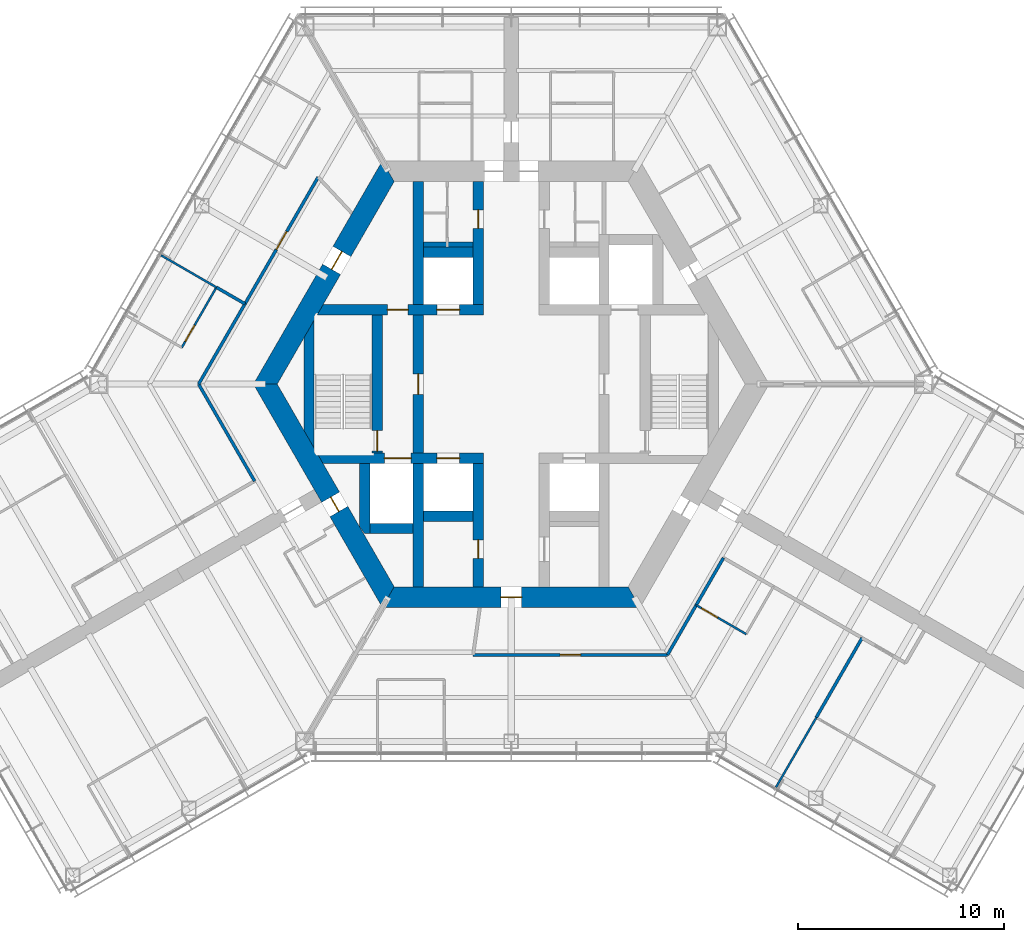
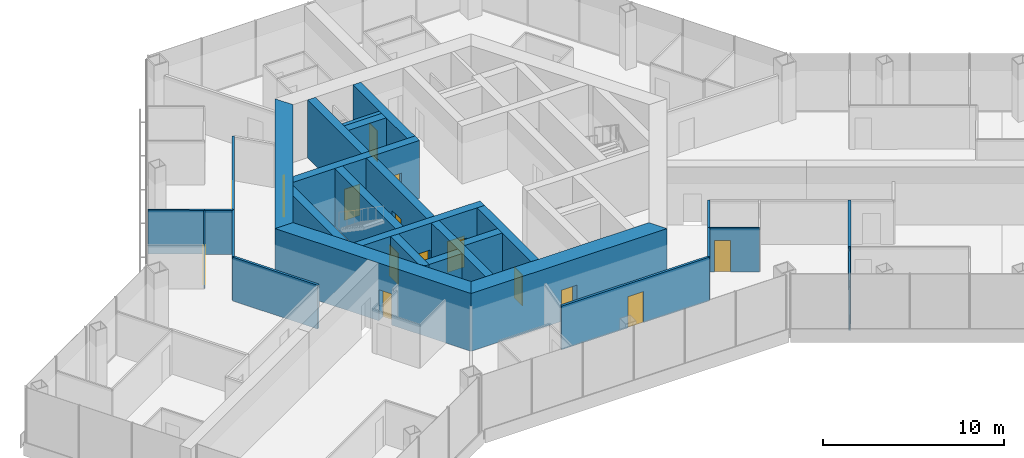
# One storey, part 12 of 18: 29 walls, 15 doors, 15 openings.
"""IFC4 building model written with IfcOpenShell, lengths in metres."""

from ifc_helpers import new_model, si_unit, direction, frame, frame_2d, origin, place, context, subcontext, project, spatial, polyline, rectangle, outline, extrude, material, layer, layer_set, type_object, element, fill, save


model = new_model("IFC4")

# Units and contexts
model_context = context("Model", 3, precision=1e-05, world=origin(), true_north=direction((0.0, 1.0)))
body_context = subcontext(model_context, "Body", "Model", "MODEL_VIEW")
ifc_project = project(units=[si_unit("LENGTHUNIT", "METRE"), si_unit("AREAUNIT", "SQUARE_METRE"), si_unit("VOLUMEUNIT", "CUBIC_METRE"), si_unit("PLANEANGLEUNIT", "RADIAN"), si_unit("MASSUNIT", "GRAM", prefix="KILO")], contexts=[model_context])

# Site, building, storey
site_placement = place(None, origin())
site = spatial("IfcSite", under=ifc_project, at=site_placement, CompositionType="ELEMENT")
building_placement = place(site_placement, origin())
building = spatial("IfcBuilding", under=site, at=building_placement, Name="Kasaneha Research Tower", CompositionType="ELEMENT")
storey_placement = place(building_placement, frame((0.0, 0.0, 133.10009765625)))
storey = spatial("IfcBuildingStorey", under=building, at=storey_placement, Name="L33", CompositionType="ELEMENT", Elevation=133.10009765625)

# Wall, openings, doors
ifc_material_1 = material(Name="Concrete Fc70", Category="concrete")
ifc_layer_1 = layer(ifc_material_1, 0.5)
ifc_layer_set_1 = layer_set([ifc_layer_1], Name="Core internal wall 500 Fc70")
wall_type_1 = type_object("IfcWallType", Name="Core internal wall 500 Fc70", PredefinedType="SHEAR", material=ifc_layer_set_1)
wall_1_placement = place(storey_placement, frame((-9.266357421875, 3.60009765625, 0.0), z_axis=(0.0, 0.0, 1.0), x_axis=(1.0, 0.0, 0.0)))
wall_1 = element("IfcWall", 1, at=wall_1_placement, inside=storey, type_object=wall_type_1, Name="Core wall W1W L33", PredefinedType="SHEAR", context=body_context, shape_type="SweptSolid", body=[
    extrude(outline(polyline([(-0.144287109375, -0.25), (3.266357421875, -0.25), (4.266357421875, -0.25), (5.66650390625, -0.25), (6.7666015625, -0.25), (7.916259765625, -0.25), (7.916259765625, 0.25), (6.7666015625, 0.25), (5.66650390625, 0.25), (4.266357421875, 0.25), (3.266357421875, 0.25), (0.144287109375, 0.25), (-0.144287109375, -0.25)])), origin(), (0.0, 0.0, 1.0), 3.89990234375),
])
opening_1_placement = place(wall_1_placement, frame((3.266357421875, 0.0, 0.0)))
opening_1 = element("IfcOpeningElement", 2, at=opening_1_placement, cuts=wall_1, Name="Opening L33-D12", PredefinedType="OPENING", context=body_context, shape_type="SweptSolid", body=[
    extrude(rectangle(XDim=1.0, YDim=2.10009765625, at=frame_2d((0.5, 1.050048828125))), frame((0.0, 0.260009765625, 0.0), z_axis=(0.0, -1.0, 0.0), x_axis=(1.0, 0.0, 0.0)), (0.0, 0.0, 1.0), 0.52001953125),
])
opening_2_placement = place(wall_1_placement, frame((5.66650390625, 0.0, 0.0)))
opening_2 = element("IfcOpeningElement", 3, at=opening_2_placement, cuts=wall_1, Name="Opening LD-LM1-L33", PredefinedType="OPENING", context=body_context, shape_type="SweptSolid", body=[
    extrude(rectangle(XDim=1.10009765625, YDim=2.10009765625, at=frame_2d((0.550048828125, 1.050048828125))), frame((0.0, 0.260009765625, 0.0), z_axis=(0.0, -1.0, 0.0), x_axis=(1.0, 0.0, 0.0)), (0.0, 0.0, 1.0), 0.52001953125),
])
ifc_material_2 = material(Name="Steel", Category="steel")
door_type_1 = type_object("IfcDoorType", Name="Lift landing door 1100x2100", OperationType="DOUBLE_DOOR_SLIDING", PredefinedType="DOOR", material=ifc_material_2)
door_1_placement = place(opening_2_placement, origin())
door_1 = element("IfcDoor", 4, at=door_1_placement, inside=storey, type_object=door_type_1, Name="Landing door LM1 LD-LM1-L33", OperationType="DOUBLE_DOOR_SLIDING", OverallHeight=2.10009765625, OverallWidth=1.10009765625, PredefinedType="DOOR", context=body_context, shape_type="SweptSolid", body=[
    extrude(rectangle(XDim=1.10009765625, YDim=2.10009765625, at=frame_2d((0.550048828125, 1.050048828125))), frame((0.0, 0.02490234375, 0.0), z_axis=(0.0, -1.0, 0.0), x_axis=(1.0, 0.0, 0.0)), (0.0, 0.0, 1.0), 0.050048828125),
])
fill(opening_2, door_1)
ifc_material_3 = material(Name="Steel", Category="steel")
door_type_2 = type_object("IfcDoorType", Name="Specified fire door FD60 1000x2100", OperationType="NOTDEFINED", PredefinedType="DOOR", material=ifc_material_3)
door_2_placement = place(opening_1_placement, origin())
door_2 = element("IfcDoor", 5, at=door_2_placement, inside=storey, type_object=door_type_2, Name="Vestibule to lobby door L33-D12", OperationType="SINGLE_SWING_LEFT", OverallHeight=2.10009765625, OverallWidth=1.0, PredefinedType="DOOR", context=body_context, shape_type="SweptSolid", body=[
    extrude(rectangle(XDim=1.0, YDim=2.10009765625, at=frame_2d((0.5, 1.050048828125))), frame((0.0, 0.02490234375, 0.0), z_axis=(0.0, -1.0, 0.0), x_axis=(1.0, 0.0, 0.0)), (0.0, 0.0, 1.0), 0.050048828125),
])
fill(opening_1, door_2)

wall_2_placement = place(storey_placement, frame((-9.266357421875, -3.60009765625, 0.0), z_axis=(0.0, 0.0, 1.0), x_axis=(1.0, 0.0, 0.0)))
wall_2 = element("IfcWall", 6, at=wall_2_placement, inside=storey, type_object=wall_type_1, Name="Core wall W2W L33", PredefinedType="SHEAR", context=body_context, shape_type="SweptSolid", body=[
    extrude(outline(polyline([(0.144287109375, -0.25), (3.116455078125, -0.25), (4.41650390625, -0.25), (5.66650390625, -0.25), (6.7666015625, -0.25), (7.916259765625, -0.25), (7.916259765625, 0.25), (6.7666015625, 0.25), (5.66650390625, 0.25), (4.41650390625, 0.25), (3.116455078125, 0.25), (-0.144287109375, 0.25), (0.144287109375, -0.25)])), origin(), (0.0, 0.0, 1.0), 3.89990234375),
])
opening_3_placement = place(wall_2_placement, frame((5.66650390625, 0.0, 0.0)))
opening_3 = element("IfcOpeningElement", 7, at=opening_3_placement, cuts=wall_2, Name="Opening LD-LM3-L33", PredefinedType="OPENING", context=body_context, shape_type="SweptSolid", body=[
    extrude(rectangle(XDim=1.10009765625, YDim=2.10009765625, at=frame_2d((0.550048828125, 1.050048828125))), frame((0.0, 0.260009765625, 0.0), z_axis=(0.0, -1.0, 0.0), x_axis=(1.0, 0.0, 0.0)), (0.0, 0.0, 1.0), 0.52001953125),
])
opening_4_placement = place(wall_2_placement, frame((3.116455078125, 0.0, 0.0)))
opening_4 = element("IfcOpeningElement", 8, at=opening_4_placement, cuts=wall_2, Name="Opening LD-FL2-L33", PredefinedType="OPENING", context=body_context, shape_type="SweptSolid", body=[
    extrude(rectangle(XDim=1.300048828125, YDim=2.10009765625, at=frame_2d((0.64990234375, 1.050048828125))), frame((0.0, 0.260009765625, 0.0), z_axis=(0.0, -1.0, 0.0), x_axis=(1.0, 0.0, 0.0)), (0.0, 0.0, 1.0), 0.52001953125),
])
door_3_placement = place(opening_3_placement, origin())
door_3 = element("IfcDoor", 9, at=door_3_placement, inside=storey, type_object=door_type_1, Name="Landing door LM3 LD-LM3-L33", OperationType="DOUBLE_DOOR_SLIDING", OverallHeight=2.10009765625, OverallWidth=1.10009765625, PredefinedType="DOOR", context=body_context, shape_type="SweptSolid", body=[
    extrude(rectangle(XDim=1.10009765625, YDim=2.10009765625, at=frame_2d((0.550048828125, 1.050048828125))), frame((0.0, 0.02490234375, 0.0), z_axis=(0.0, -1.0, 0.0), x_axis=(1.0, 0.0, 0.0)), (0.0, 0.0, 1.0), 0.050048828125),
])
fill(opening_3, door_3)
ifc_material_4 = material(Name="Steel", Category="steel")
door_type_3 = type_object("IfcDoorType", Name="Lift landing door 1300x2100", OperationType="DOUBLE_DOOR_SLIDING", PredefinedType="DOOR", material=ifc_material_4)
door_4_placement = place(opening_4_placement, origin())
door_4 = element("IfcDoor", 10, at=door_4_placement, inside=storey, type_object=door_type_3, Name="Landing door FL2 LD-FL2-L33", OperationType="DOUBLE_DOOR_SLIDING", OverallHeight=2.10009765625, OverallWidth=1.300048828125, PredefinedType="DOOR", context=body_context, shape_type="SweptSolid", body=[
    extrude(rectangle(XDim=1.300048828125, YDim=2.10009765625, at=frame_2d((0.64990234375, 1.050048828125))), frame((0.0, 0.02490234375, 0.0), z_axis=(0.0, -1.0, 0.0), x_axis=(1.0, 0.0, 0.0)), (0.0, 0.0, 1.0), 0.050048828125),
])
fill(opening_4, door_4)

# Wall, opening, door
wall_3_placement = place(storey_placement, frame((-1.60009765625, 3.85009765625, 0.0), z_axis=(0.0, 0.0, 1.0), x_axis=(0.0, 1.0, 0.0)))
wall_3 = element("IfcWall", 11, at=wall_3_placement, inside=storey, type_object=wall_type_1, Name="Core wall CNW L33", PredefinedType="SHEAR", context=body_context, shape_type="SweptSolid", body=[
    extrude(rectangle(XDim=5.974853515625, YDim=0.5, at=frame_2d((2.9873046875, 0.0))), origin(), (0.0, 0.0, 1.0), 3.89990234375),
])
opening_5_placement = place(wall_3_placement, frame((3.699951171875, 0.0, 0.0)))
opening_5 = element("IfcOpeningElement", 12, at=opening_5_placement, cuts=wall_3, Name="Opening L33-D13", PredefinedType="OPENING", context=body_context, shape_type="SweptSolid", body=[
    extrude(rectangle(XDim=0.89990234375, YDim=2.10009765625, at=frame_2d((0.449951171875, 1.050048828125))), frame((0.0, 0.260009765625, 0.0), z_axis=(0.0, -1.0, 0.0), x_axis=(1.0, 0.0, 0.0)), (0.0, 0.0, 1.0), 0.52001953125),
])
ifc_material_5 = material(Name="Steel", Category="steel")
door_type_4 = type_object("IfcDoorType", Name="Toilet door FD20 900x2100", OperationType="NOTDEFINED", PredefinedType="DOOR", material=ifc_material_5)
door_5_placement = place(opening_5_placement, origin())
door_5 = element("IfcDoor", 13, at=door_5_placement, inside=storey, type_object=door_type_4, Name="Men's WC door L33-D13", OperationType="SINGLE_SWING_LEFT", OverallHeight=2.10009765625, OverallWidth=0.89990234375, PredefinedType="DOOR", context=body_context, shape_type="SweptSolid", body=[
    extrude(rectangle(XDim=0.89990234375, YDim=2.10009765625, at=frame_2d((0.449951171875, 1.050048828125))), frame((0.0, 0.02490234375, 0.0), z_axis=(0.0, -1.0, 0.0), x_axis=(1.0, 0.0, 0.0)), (0.0, 0.0, 1.0), 0.050048828125),
])
fill(opening_5, door_5)

wall_4_placement = place(storey_placement, frame((-1.60009765625, -3.85009765625, 0.0), z_axis=(0.0, 0.0, 1.0), x_axis=(0.0, -1.0, 0.0)))
wall_4 = element("IfcWall", 14, at=wall_4_placement, inside=storey, type_object=wall_type_1, Name="Core wall CSW L33", PredefinedType="SHEAR", context=body_context, shape_type="SweptSolid", body=[
    extrude(rectangle(XDim=5.974853515625, YDim=0.5, at=frame_2d((2.9873046875, 0.0))), origin(), (0.0, 0.0, 1.0), 3.89990234375),
])
opening_6_placement = place(wall_4_placement, frame((3.699951171875, 0.0, 0.0)))
opening_6 = element("IfcOpeningElement", 15, at=opening_6_placement, cuts=wall_4, Name="Opening L33-D16", PredefinedType="OPENING", context=body_context, shape_type="SweptSolid", body=[
    extrude(rectangle(XDim=0.89990234375, YDim=2.10009765625, at=frame_2d((0.449951171875, 1.050048828125))), frame((0.0, 0.260009765625, 0.0), z_axis=(0.0, -1.0, 0.0), x_axis=(1.0, 0.0, 0.0)), (0.0, 0.0, 1.0), 0.52001953125),
])
ifc_material_6 = material(Name="Steel", Category="steel")
door_type_5 = type_object("IfcDoorType", Name="Riser access door FD60 900x2100", OperationType="NOTDEFINED", PredefinedType="DOOR", material=ifc_material_6)
door_6_placement = place(opening_6_placement, origin())
door_6 = element("IfcDoor", 16, at=door_6_placement, inside=storey, type_object=door_type_5, Name="Electrical riser door L33-D16", OperationType="SINGLE_SWING_LEFT", OverallHeight=2.10009765625, OverallWidth=0.89990234375, PredefinedType="DOOR", context=body_context, shape_type="SweptSolid", body=[
    extrude(rectangle(XDim=0.89990234375, YDim=2.10009765625, at=frame_2d((0.449951171875, 1.050048828125))), frame((0.0, 0.02490234375, 0.0), z_axis=(0.0, -1.0, 0.0), x_axis=(1.0, 0.0, 0.0)), (0.0, 0.0, 1.0), 0.050048828125),
])
fill(opening_6, door_6)

wall_5_placement = place(storey_placement, frame((-4.5, -3.35009765625, 0.0), z_axis=(0.0, 0.0, 1.0), x_axis=(0.0, 1.0, 0.0)))
wall_5 = element("IfcWall", 17, at=wall_5_placement, inside=storey, type_object=wall_type_1, Name="Core wall LBW L33", PredefinedType="SHEAR", context=body_context, shape_type="SweptSolid", body=[
    extrude(rectangle(XDim=6.7001953125, YDim=0.5, at=frame_2d((3.35009765625, 0.0))), origin(), (0.0, 0.0, 1.0), 3.89990234375),
])
opening_7_placement = place(wall_5_placement, frame((2.85009765625, 0.0, 0.0)))
opening_7 = element("IfcOpeningElement", 18, at=opening_7_placement, cuts=wall_5, Name="Opening L33-D09", PredefinedType="OPENING", context=body_context, shape_type="SweptSolid", body=[
    extrude(rectangle(XDim=1.0, YDim=2.10009765625, at=frame_2d((0.5, 1.050048828125))), frame((0.0, 0.260009765625, 0.0), z_axis=(0.0, -1.0, 0.0), x_axis=(1.0, 0.0, 0.0)), (0.0, 0.0, 1.0), 0.52001953125),
])
door_7_placement = place(opening_7_placement, origin())
door_7 = element("IfcDoor", 19, at=door_7_placement, inside=storey, type_object=door_type_2, Name="Lift lobby door west L33-D09", OperationType="SINGLE_SWING_LEFT", OverallHeight=2.10009765625, OverallWidth=1.0, PredefinedType="DOOR", context=body_context, shape_type="SweptSolid", body=[
    extrude(rectangle(XDim=1.0, YDim=2.10009765625, at=frame_2d((0.5, 1.050048828125))), frame((0.0, 0.02490234375, 0.0), z_axis=(0.0, -1.0, 0.0), x_axis=(1.0, 0.0, 0.0)), (0.0, 0.0, 1.0), 0.050048828125),
])
fill(opening_7, door_7)

wall_6_placement = place(storey_placement, frame((-6.5, -3.35009765625, 0.0), z_axis=(0.0, 0.0, 1.0), x_axis=(0.0, 1.0, 0.0)))
wall_6 = element("IfcWall", 20, at=wall_6_placement, inside=storey, type_object=wall_type_1, Name="Core wall ANW L33", PredefinedType="SHEAR", context=body_context, shape_type="SweptSolid", body=[
    extrude(rectangle(XDim=6.7001953125, YDim=0.5, at=frame_2d((3.35009765625, 0.0))), origin(), (0.0, 0.0, 1.0), 3.89990234375),
])
opening_8_placement = place(wall_6_placement, frame((0.10009765625, 0.0, 0.0)))
opening_8 = element("IfcOpeningElement", 21, at=opening_8_placement, cuts=wall_6, Name="Opening L33-D11", PredefinedType="OPENING", context=body_context, shape_type="SweptSolid", body=[
    extrude(rectangle(XDim=1.0, YDim=2.10009765625, at=frame_2d((0.5, 1.050048828125))), frame((0.0, 0.260009765625, 0.0), z_axis=(0.0, -1.0, 0.0), x_axis=(1.0, 0.0, 0.0)), (0.0, 0.0, 1.0), 0.52001953125),
])
door_8_placement = place(opening_8_placement, origin())
door_8 = element("IfcDoor", 22, at=door_8_placement, inside=storey, type_object=door_type_2, Name="Stair 2 door L33-D11", OperationType="SINGLE_SWING_LEFT", OverallHeight=2.10009765625, OverallWidth=1.0, PredefinedType="DOOR", context=body_context, shape_type="SweptSolid", body=[
    extrude(rectangle(XDim=1.0, YDim=2.10009765625, at=frame_2d((0.5, 1.050048828125))), frame((0.0, 0.02490234375, 0.0), z_axis=(0.0, -1.0, 0.0), x_axis=(1.0, 0.0, 0.0)), (0.0, 0.0, 1.0), 0.050048828125),
])
fill(opening_8, door_8)

# Walls
for number, where, z_axis, x_axis, name in (
    (23, (-4.5, 3.85009765625, 0.0), (0.0, 0.0, 1.0), (0.0, 1.0, 0.0), "Core wall VNW L33"),
    (24, (-4.5, -3.85009765625, 0.0), (0.0, 0.0, 1.0), (0.0, -1.0, 0.0), "Core wall SSW L33"),
):
    element("IfcWall", number, at=place(storey_placement, frame(where, z_axis=z_axis, x_axis=x_axis)), inside=storey, type_object=wall_type_1, Name=name, PredefinedType="SHEAR", context=body_context, shape_type="SweptSolid", body=[
        extrude(rectangle(XDim=5.974853515625, YDim=0.5, at=frame_2d((2.9873046875, 0.0))), origin(), (0.0, 0.0, 1.0), 3.89990234375),
    ])
for number, where, z_axis, x_axis, name in (
    (25, (-4.25, 6.39990234375, 0.0), (0.0, 0.0, 1.0), (1.0, 0.0, 0.0), "Core wall N1N L33"),
    (26, (-4.25, -6.39990234375, 0.0), (0.0, 0.0, 1.0), (1.0, 0.0, 0.0), "Core wall S1S L33"),
):
    element("IfcWall", number, at=place(storey_placement, frame(where, z_axis=z_axis, x_axis=x_axis)), inside=storey, type_object=wall_type_1, Name=name, PredefinedType="SHEAR", context=body_context, shape_type="SweptSolid", body=[
        extrude(rectangle(XDim=2.39990234375, YDim=0.5, at=frame_2d((1.199951171875, 0.0))), origin(), (0.0, 0.0, 1.0), 3.89990234375),
    ])
wall_7_placement = place(storey_placement, frame((-6.85009765625, -7.0, 0.0), z_axis=(0.0, 0.0, 1.0), x_axis=(1.0, 0.0, 0.0)))
element("IfcWall", 27, at=wall_7_placement, inside=storey, type_object=wall_type_1, Name="Core wall F2S L33", PredefinedType="SHEAR", context=body_context, shape_type="SweptSolid", body=[
    extrude(rectangle(XDim=2.10009765625, YDim=0.5, at=frame_2d((1.050048828125, 0.0))), origin(), (0.0, 0.0, 1.0), 3.89990234375),
])
wall_8_placement = place(storey_placement, frame((-7.10009765625, -3.85009765625, 0.0), z_axis=(0.0, 0.0, 1.0), x_axis=(0.0, -1.0, 0.0)))
element("IfcWall", 28, at=wall_8_placement, inside=storey, type_object=wall_type_1, Name="Core wall F2W L33", PredefinedType="SHEAR", context=body_context, shape_type="SweptSolid", body=[
    extrude(outline(polyline([(0.0, -0.25), (3.0693359375, -0.25), (3.39990234375, 0.0), (3.39990234375, 0.25), (0.0, 0.25), (0.0, -0.25)])), origin(), (0.0, 0.0, 1.0), 3.89990234375),
])
wall_9_placement = place(storey_placement, frame((-9.807861328125, -2.662353515625, 0.0), z_axis=(0.0, 0.0, 1.0), x_axis=(0.0, 1.0, 0.0)))
element("IfcWall", 29, at=wall_9_placement, inside=storey, type_object=wall_type_1, Name="Core wall STW L33", PredefinedType="SHEAR", context=body_context, shape_type="SweptSolid", body=[
    extrude(outline(polyline([(-0.43310546875, -0.25), (5.7578125, -0.25), (4.8916015625, 0.25), (0.43310546875, 0.25), (-0.43310546875, -0.25)])), origin(), (0.0, 0.0, 1.0), 3.89990234375),
])

# Wall, opening, door
ifc_material_7 = material(Name="Concrete Fc70", Category="concrete")
ifc_layer_2 = layer(ifc_material_7, 1.0)
ifc_layer_set_2 = layer_set([ifc_layer_2], Name="Core wall 1000 Fc70")
wall_type_2 = type_object("IfcWallType", Name="Core wall 1000 Fc70", PredefinedType="SHEAR", material=ifc_layer_set_2)
wall_10_placement = place(storey_placement, frame((-5.961181640625, 10.324951171875, 0.0), z_axis=(0.0, 0.0, 1.0), x_axis=(-0.500004296715, -0.866022923061, 0.0)))
wall_10 = element("IfcWall", 30, at=wall_10_placement, inside=storey, type_object=wall_type_2, Name="Core wall 150 L33", PredefinedType="SHEAR", context=body_context, shape_type="SweptSolid", body=[
    extrude(outline(polyline([(-0.28857421875, -0.5), (4.494140625, -0.5), (5.494140625, -0.5), (12.2109375, -0.5), (11.6337890625, 0.5), (5.494140625, 0.5), (4.494140625, 0.5), (0.28857421875, 0.5), (-0.28857421875, -0.5)])), origin(), (0.0, 0.0, 1.0), 3.89990234375),
])
opening_9_placement = place(wall_10_placement, frame((4.494140625, 0.0, 0.0)))
opening_9 = element("IfcOpeningElement", 31, at=opening_9_placement, cuts=wall_10, Name="Opening L33-D07", PredefinedType="OPENING", context=body_context, shape_type="SweptSolid", body=[
    extrude(rectangle(XDim=1.0, YDim=2.10009765625, at=frame_2d((0.5, 1.050048828125))), frame((0.0, 0.510009765625, 0.0), z_axis=(0.0, -1.0, 0.0), x_axis=(1.0, 0.0, 0.0)), (0.0, 0.0, 1.0), 1.02001953125),
])
ifc_material_8 = material(Name="Steel", Category="steel")
door_type_6 = type_object("IfcDoorType", Name="Fire door FD20 1000x2100", OperationType="NOTDEFINED", PredefinedType="DOOR", material=ifc_material_8)
door_9_placement = place(opening_9_placement, origin())
door_9 = element("IfcDoor", 32, at=door_9_placement, inside=storey, type_object=door_type_6, Name="Vestibule door L33-D07", OperationType="SINGLE_SWING_LEFT", OverallHeight=2.10009765625, OverallWidth=1.0, PredefinedType="DOOR", context=body_context, shape_type="SweptSolid", body=[
    extrude(rectangle(XDim=1.0, YDim=2.10009765625, at=frame_2d((0.5, 1.050048828125))), frame((0.0, 0.02490234375, 0.0), z_axis=(0.0, -1.0, 0.0), x_axis=(1.0, 0.0, 0.0)), (0.0, 0.0, 1.0), 0.050048828125),
])
fill(opening_9, door_9)

wall_11_placement = place(storey_placement, frame((-11.92236328125, 0.0, 0.0), z_axis=(0.0, 0.0, 1.0), x_axis=(0.500004296715, -0.866022923061, 0.0)))
wall_11 = element("IfcWall", 33, at=wall_11_placement, inside=storey, type_object=wall_type_2, Name="Core wall 210 L33", PredefinedType="SHEAR", context=body_context, shape_type="SweptSolid", body=[
    extrude(outline(polyline([(-0.28857421875, -0.5), (6.3310546875, -0.5), (7.131103515625, -0.5), (12.2109375, -0.5), (11.6337890625, 0.5), (7.131103515625, 0.5), (6.3310546875, 0.5), (0.28857421875, 0.5), (-0.28857421875, -0.5)])), origin(), (0.0, 0.0, 1.0), 3.89990234375),
])
opening_10_placement = place(wall_11_placement, frame((6.3310546875, 0.0, 0.0)))
opening_10 = element("IfcOpeningElement", 34, at=opening_10_placement, cuts=wall_11, Name="Opening L33-D06", PredefinedType="OPENING", context=body_context, shape_type="SweptSolid", body=[
    extrude(rectangle(XDim=0.800048828125, YDim=2.10009765625, at=frame_2d((0.39990234375, 1.050048828125))), frame((0.0, 0.510009765625, 0.0), z_axis=(0.0, -1.0, 0.0), x_axis=(1.0, 0.0, 0.0)), (0.0, 0.0, 1.0), 1.02001953125),
])
ifc_material_9 = material(Name="Steel", Category="steel")
door_type_7 = type_object("IfcDoorType", Name="Riser access door FD60 800x2100", OperationType="NOTDEFINED", PredefinedType="DOOR", material=ifc_material_9)
door_10_placement = place(opening_10_placement, origin())
door_10 = element("IfcDoor", 35, at=door_10_placement, inside=storey, type_object=door_type_7, Name="Duct riser door L33-D06", OperationType="SINGLE_SWING_RIGHT", OverallHeight=2.10009765625, OverallWidth=0.800048828125, PredefinedType="DOOR", context=body_context, shape_type="SweptSolid", body=[
    extrude(rectangle(XDim=0.800048828125, YDim=2.10009765625, at=frame_2d((0.39990234375, 1.050048828125))), frame((0.0, 0.02490234375, 0.0), z_axis=(0.0, -1.0, 0.0), x_axis=(1.0, 0.0, 0.0)), (0.0, 0.0, 1.0), 0.050048828125),
])
fill(opening_10, door_10)

wall_12_placement = place(storey_placement, frame((-5.961181640625, -10.324951171875, 0.0), z_axis=(0.0, 0.0, 1.0), x_axis=(1.0, 0.0, 0.0)))
wall_12 = element("IfcWall", 36, at=wall_12_placement, inside=storey, type_object=wall_type_2, Name="Core wall 270 L33", PredefinedType="SHEAR", context=body_context, shape_type="SweptSolid", body=[
    extrude(outline(polyline([(-0.28857421875, -0.5), (5.461181640625, -0.5), (6.461181640625, -0.5), (12.2109375, -0.5), (11.6337890625, 0.5), (6.461181640625, 0.5), (5.461181640625, 0.5), (0.28857421875, 0.5), (-0.28857421875, -0.5)])), origin(), (0.0, 0.0, 1.0), 3.89990234375),
])
opening_11_placement = place(wall_12_placement, frame((5.461181640625, 0.0, 0.0)))
opening_11 = element("IfcOpeningElement", 37, at=opening_11_placement, cuts=wall_12, Name="Opening L33-D03", PredefinedType="OPENING", context=body_context, shape_type="SweptSolid", body=[
    extrude(rectangle(XDim=1.0, YDim=2.10009765625, at=frame_2d((0.5, 1.050048828125))), frame((0.0, 0.510009765625, 0.0), z_axis=(0.0, -1.0, 0.0), x_axis=(1.0, 0.0, 0.0)), (0.0, 0.0, 1.0), 1.02001953125),
])
door_11_placement = place(opening_11_placement, origin())
door_11 = element("IfcDoor", 38, at=door_11_placement, inside=storey, type_object=door_type_6, Name="Core door south L33-D03", OperationType="SINGLE_SWING_LEFT", OverallHeight=2.10009765625, OverallWidth=1.0, PredefinedType="DOOR", context=body_context, shape_type="SweptSolid", body=[
    extrude(rectangle(XDim=1.0, YDim=2.10009765625, at=frame_2d((0.5, 1.050048828125))), frame((0.0, 0.02490234375, 0.0), z_axis=(0.0, -1.0, 0.0), x_axis=(1.0, 0.0, 0.0)), (0.0, 0.0, 1.0), 0.050048828125),
])
fill(opening_11, door_11)

ifc_material_10 = material(Name="Gypsum board on steel studs, one layer each side", Category="steel")
ifc_layer_3 = layer(ifc_material_10, 0.10009765625)
ifc_layer_set_3 = layer_set([ifc_layer_3], Name="Office partition 100")
wall_type_3 = type_object("IfcWallType", Name="Office partition 100", PredefinedType="PARTITIONING", material=ifc_layer_set_3)
wall_13_placement = place(storey_placement, frame((-14.291015625, 4.697509765625, 0.0), z_axis=(0.0, 0.0, 1.0), x_axis=(-0.498809626432, -0.86671157635, 0.0)))
wall_13 = element("IfcWall", 39, at=wall_13_placement, inside=storey, type_object=wall_type_3, Name="Office partition FBN15 L33", PredefinedType="PARTITIONING", context=body_context, shape_type="SweptSolid", body=[
    extrude(rectangle(XDim=3.373779296875, YDim=0.10009765625, at=frame_2d((1.68701171875, 0.0))), origin(), (0.0, 0.0, 1.0), 2.949951171875),
])
opening_12_placement = place(wall_13_placement, frame((2.130859375, 0.0, 0.0)))
opening_12 = element("IfcOpeningElement", 40, at=opening_12_placement, cuts=wall_13, Name="Opening L33-D39", PredefinedType="OPENING", context=body_context, shape_type="SweptSolid", body=[
    extrude(rectangle(XDim=0.89990234375, YDim=2.10009765625, at=frame_2d((0.449951171875, 1.050048828125))), frame((0.0, 0.06005859375, 0.0), z_axis=(0.0, -1.0, 0.0), x_axis=(1.0, 0.0, 0.0)), (0.0, 0.0, 1.0), 0.1201171875),
])
ifc_material_11 = material(Name="Timber veneer", Category="wood")
door_type_8 = type_object("IfcDoorType", Name="Office door 900x2100", OperationType="SINGLE_SWING_LEFT", PredefinedType="DOOR", material=ifc_material_11)
door_12_placement = place(opening_12_placement, origin())
door_12 = element("IfcDoor", 41, at=door_12_placement, inside=storey, type_object=door_type_8, Name="Workroom door L33-D39", OperationType="SINGLE_SWING_RIGHT", OverallHeight=2.10009765625, OverallWidth=0.89990234375, PredefinedType="DOOR", context=body_context, shape_type="SweptSolid", body=[
    extrude(rectangle(XDim=0.89990234375, YDim=2.10009765625, at=frame_2d((0.449951171875, 1.050048828125))), frame((0.0, 0.02490234375, 0.0), z_axis=(0.0, -1.0, 0.0), x_axis=(1.0, 0.0, 0.0)), (0.0, 0.0, 1.0), 0.050048828125),
])
fill(opening_12, door_12)

# Wall
wall_14_placement = place(storey_placement, frame((-16.97607421875, 6.247802734375, 0.0), z_axis=(0.0, 0.0, 1.0), x_axis=(0.865232439327, -0.501370946442, 0.0)))
element("IfcWall", 42, at=wall_14_placement, inside=storey, type_object=wall_type_3, Name="Office partition FBN16 L33", PredefinedType="PARTITIONING", context=body_context, shape_type="SweptSolid", body=[
    extrude(rectangle(XDim=3.105224609375, YDim=0.10009765625, at=frame_2d((1.552734375, 0.0))), origin(), (0.0, 0.0, 1.0), 2.949951171875),
])

# Wall, opening, door
wall_15_placement = place(storey_placement, frame((11.3916015625, -12.119384765625, 0.0), z_axis=(0.0, 0.0, 1.0), x_axis=(-0.865255114713, 0.501331812737, 0.0)))
wall_15 = element("IfcWall", 43, at=wall_15_placement, inside=storey, type_object=wall_type_3, Name="Office partition FCS09 L33", PredefinedType="PARTITIONING", context=body_context, shape_type="SweptSolid", body=[
    extrude(rectangle(XDim=2.800048828125, YDim=0.10009765625, at=frame_2d((1.39990234375, 0.0))), origin(), (0.0, 0.0, 1.0), 2.949951171875),
])
opening_13_placement = place(wall_15_placement, frame((1.60009765625, 0.0, 0.0)))
opening_13 = element("IfcOpeningElement", 44, at=opening_13_placement, cuts=wall_15, Name="Opening L33-D47", PredefinedType="OPENING", context=body_context, shape_type="SweptSolid", body=[
    extrude(rectangle(XDim=0.89990234375, YDim=2.10009765625, at=frame_2d((0.449951171875, 1.050048828125))), frame((0.0, 0.06005859375, 0.0), z_axis=(0.0, -1.0, 0.0), x_axis=(1.0, 0.0, 0.0)), (0.0, 0.0, 1.0), 0.1201171875),
])
door_13_placement = place(opening_13_placement, origin())
door_13 = element("IfcDoor", 45, at=door_13_placement, inside=storey, type_object=door_type_8, Name="Pantry door L33-D47", OperationType="SINGLE_SWING_RIGHT", OverallHeight=2.10009765625, OverallWidth=0.89990234375, PredefinedType="DOOR", context=body_context, shape_type="SweptSolid", body=[
    extrude(rectangle(XDim=0.89990234375, YDim=2.10009765625, at=frame_2d((0.449951171875, 1.050048828125))), frame((0.0, 0.02490234375, 0.0), z_axis=(0.0, -1.0, 0.0), x_axis=(1.0, 0.0, 0.0)), (0.0, 0.0, 1.0), 0.050048828125),
])
fill(opening_13, door_13)

# Walls
wall_16_placement = place(storey_placement, frame((12.839599609375, -19.543212890625, 0.0), z_axis=(0.0, 0.0, 1.0), x_axis=(0.501092951989, 0.865393467428, 0.0)))
element("IfcWall", 46, at=wall_16_placement, inside=storey, type_object=wall_type_3, Name="Office partition FCS14 L33", PredefinedType="PARTITIONING", context=body_context, shape_type="SweptSolid", body=[
    extrude(rectangle(XDim=3.905029296875, YDim=0.10009765625, at=frame_2d((1.95263671875, 0.0))), origin(), (0.0, 0.0, 1.0), 2.949951171875),
])
ifc_material_12 = material(Name="Gypsum board on steel studs, two layers each side", Category="steel")
ifc_layer_4 = layer(ifc_material_12, 0.14990234375)
ifc_layer_set_4 = layer_set([ifc_layer_4], Name="Suite partition 150")
wall_type_4 = type_object("IfcWallType", Name="Suite partition 150", PredefinedType="PARTITIONING", material=ifc_layer_set_4)
wall_17_placement = place(storey_placement, frame((-15.155517578125, 0.0, 0.0), z_axis=(0.0, 0.0, 1.0), x_axis=(0.500014848696, 0.866016830716, 0.0)))
element("IfcWall", 47, at=wall_17_placement, inside=storey, type_object=wall_type_4, Name="Suite partition FBN02 L33", PredefinedType="PARTITIONING", context=body_context, shape_type="SweptSolid", body=[
    extrude(rectangle(XDim=4.505126953125, YDim=0.14990234375, at=frame_2d((2.25244140625, 0.0))), origin(), (0.0, 0.0, 1.0), 2.949951171875),
])
wall_18_placement = place(storey_placement, frame((-12.441650390625, -4.700439453125, 0.0), z_axis=(0.0, 0.0, 1.0), x_axis=(-0.500009286329, 0.866020042254, 0.0)))
element("IfcWall", 48, at=wall_18_placement, inside=storey, type_object=wall_type_4, Name="Suite partition FBN03 L33", PredefinedType="PARTITIONING", context=body_context, shape_type="SweptSolid", body=[
    extrude(rectangle(XDim=5.427734375, YDim=0.14990234375, at=frame_2d((2.7138671875, 0.0))), origin(), (0.0, 0.0, 1.0), 2.949951171875),
])

# Wall, opening, door
wall_19_placement = place(storey_placement, frame((-12.90771484375, 3.89306640625, 0.0), z_axis=(0.0, 0.0, 1.0), x_axis=(0.500006411147, 0.866021702275, 0.0)))
wall_19 = element("IfcWall", 49, at=wall_19_placement, inside=storey, type_object=wall_type_4, Name="Suite partition FBN06 L33", PredefinedType="PARTITIONING", context=body_context, shape_type="SweptSolid", body=[
    extrude(rectangle(XDim=7.09521484375, YDim=0.14990234375, at=frame_2d((3.547607421875, 0.0))), origin(), (0.0, 0.0, 1.0), 2.949951171875),
])
opening_14_placement = place(wall_19_placement, frame((3.04736328125, 0.0, 0.0)))
opening_14 = element("IfcOpeningElement", 50, at=opening_14_placement, cuts=wall_19, Name="Opening L33-D36", PredefinedType="OPENING", context=body_context, shape_type="SweptSolid", body=[
    extrude(rectangle(XDim=1.0, YDim=2.10009765625, at=frame_2d((0.5, 1.050048828125))), frame((0.0, 0.0849609375, 0.0), z_axis=(0.0, -1.0, 0.0), x_axis=(1.0, 0.0, 0.0)), (0.0, 0.0, 1.0), 0.169921875),
])
ifc_material_13 = material(Name="Steel", Category="steel")
door_type_9 = type_object("IfcDoorType", Name="Suite entrance door FD60 1000x2100", OperationType="NOTDEFINED", PredefinedType="DOOR", material=ifc_material_13)
door_14_placement = place(opening_14_placement, origin())
door_14 = element("IfcDoor", 51, at=door_14_placement, inside=storey, type_object=door_type_9, Name="Suite entrance door L33-D36", OperationType="SINGLE_SWING_LEFT", OverallHeight=2.10009765625, OverallWidth=1.0, PredefinedType="DOOR", context=body_context, shape_type="SweptSolid", body=[
    extrude(rectangle(XDim=1.0, YDim=2.10009765625, at=frame_2d((0.5, 1.050048828125))), frame((0.0, 0.02490234375, 0.0), z_axis=(0.0, -1.0, 0.0), x_axis=(1.0, 0.0, 0.0)), (0.0, 0.0, 1.0), 0.050048828125),
])
fill(opening_14, door_14)

# Walls
wall_20_placement = place(storey_placement, frame((-14.2890625, 4.69091796875, 0.0), z_axis=(0.0, 0.0, 1.0), x_axis=(0.865925490132, -0.500173015605, 0.0)))
element("IfcWall", 52, at=wall_20_placement, inside=storey, type_object=wall_type_4, Name="Suite partition FBN20 L33", PredefinedType="PARTITIONING", context=body_context, shape_type="SweptSolid", body=[
    extrude(rectangle(XDim=1.5947265625, YDim=0.14990234375, at=frame_2d((0.79736328125, 0.0))), origin(), (0.0, 0.0, 1.0), 2.949951171875),
])
wall_21_placement = place(storey_placement, frame((10.29150390625, -8.424560546875, 0.0), z_axis=(0.0, 0.0, 1.0), x_axis=(-0.499966561876, -0.866044708433, 0.0)))
element("IfcWall", 53, at=wall_21_placement, inside=storey, type_object=wall_type_4, Name="Suite partition FCS01 L33", PredefinedType="PARTITIONING", context=body_context, shape_type="SweptSolid", body=[
    extrude(rectangle(XDim=2.655029296875, YDim=0.14990234375, at=frame_2d((1.32763671875, 0.0))), origin(), (0.0, 0.0, 1.0), 2.949951171875),
])

# Wall, opening, door
wall_22_placement = place(storey_placement, frame((7.57763671875, -13.125, 0.0), z_axis=(0.0, 0.0, 1.0), x_axis=(-1.0, 0.0, 0.0)))
wall_22 = element("IfcWall", 54, at=wall_22_placement, inside=storey, type_object=wall_type_4, Name="Suite partition FCS04 L33", PredefinedType="PARTITIONING", context=body_context, shape_type="SweptSolid", body=[
    extrude(rectangle(XDim=9.422119140625, YDim=0.14990234375, at=frame_2d((4.7109375, 0.0))), origin(), (0.0, 0.0, 1.0), 2.949951171875),
])
opening_15_placement = place(wall_22_placement, frame((4.211181640625, 0.0, 0.0)))
opening_15 = element("IfcOpeningElement", 55, at=opening_15_placement, cuts=wall_22, Name="Opening L33-D45", PredefinedType="OPENING", context=body_context, shape_type="SweptSolid", body=[
    extrude(rectangle(XDim=1.0, YDim=2.10009765625, at=frame_2d((0.5, 1.050048828125))), frame((0.0, 0.0849609375, 0.0), z_axis=(0.0, -1.0, 0.0), x_axis=(1.0, 0.0, 0.0)), (0.0, 0.0, 1.0), 0.169921875),
])
door_15_placement = place(opening_15_placement, origin())
door_15 = element("IfcDoor", 56, at=door_15_placement, inside=storey, type_object=door_type_9, Name="Suite entrance door L33-D45", OperationType="SINGLE_SWING_LEFT", OverallHeight=2.10009765625, OverallWidth=1.0, PredefinedType="DOOR", context=body_context, shape_type="SweptSolid", body=[
    extrude(rectangle(XDim=1.0, YDim=2.10009765625, at=frame_2d((0.5, 1.050048828125))), frame((0.0, 0.02490234375, 0.0), z_axis=(0.0, -1.0, 0.0), x_axis=(1.0, 0.0, 0.0)), (0.0, 0.0, 1.0), 0.050048828125),
])
fill(opening_15, door_15)

# Walls
wall_23_placement = place(storey_placement, frame((8.96875, -10.715576171875, 0.0), z_axis=(0.0, 0.0, 1.0), x_axis=(-0.500008568482, -0.866020456713, 0.0)))
element("IfcWall", 57, at=wall_23_placement, inside=storey, type_object=wall_type_4, Name="Suite partition FCS05 L33", PredefinedType="PARTITIONING", context=body_context, shape_type="SweptSolid", body=[
    extrude(rectangle(XDim=2.7822265625, YDim=0.14990234375, at=frame_2d((1.39111328125, 0.0))), origin(), (0.0, 0.0, 1.0), 2.949951171875),
])
wall_24_placement = place(storey_placement, frame((17.0126953125, -12.305419921875, 0.0), z_axis=(0.0, 0.0, 1.0), x_axis=(-0.499081704511, -0.866554933182, 0.0)))
element("IfcWall", 58, at=wall_24_placement, inside=storey, type_object=wall_type_4, Name="Suite partition FCS17 L33", PredefinedType="PARTITIONING", context=body_context, shape_type="SweptSolid", body=[
    extrude(rectangle(XDim=4.4541015625, YDim=0.14990234375, at=frame_2d((2.22705078125, 0.0))), origin(), (0.0, 0.0, 1.0), 2.949951171875),
])
ifc_material_14 = material(Name="Concrete block lining", Category="concrete")
ifc_layer_5 = layer(ifc_material_14, 0.25)
ifc_layer_set_5 = layer_set([ifc_layer_5], Name="WC plumbing wall 250")
wall_type_5 = type_object("IfcWallType", Name="WC plumbing wall 250", PredefinedType="PLUMBINGWALL", material=ifc_layer_set_5)
wall_25_placement = place(storey_placement, frame((-4.25, 6.77490234375, 0.0), z_axis=(0.0, 0.0, 1.0), x_axis=(1.0, 0.0, 0.0)))
element("IfcWall", 59, at=wall_25_placement, inside=storey, type_object=wall_type_5, Name="WC plumbing wall M L33", PredefinedType="PLUMBINGWALL", context=body_context, shape_type="SweptSolid", body=[
    extrude(rectangle(XDim=2.39990234375, YDim=0.25, at=frame_2d((1.199951171875, 0.0))), origin(), (0.0, 0.0, 1.0), 3.89990234375),
])

save(model, "model.ifc")
